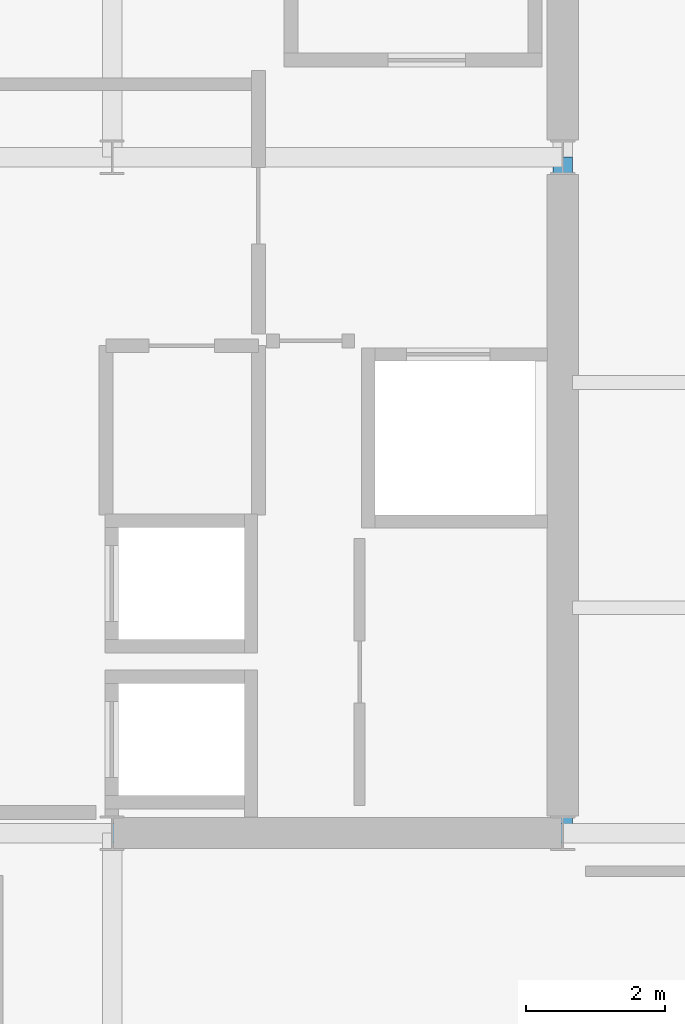
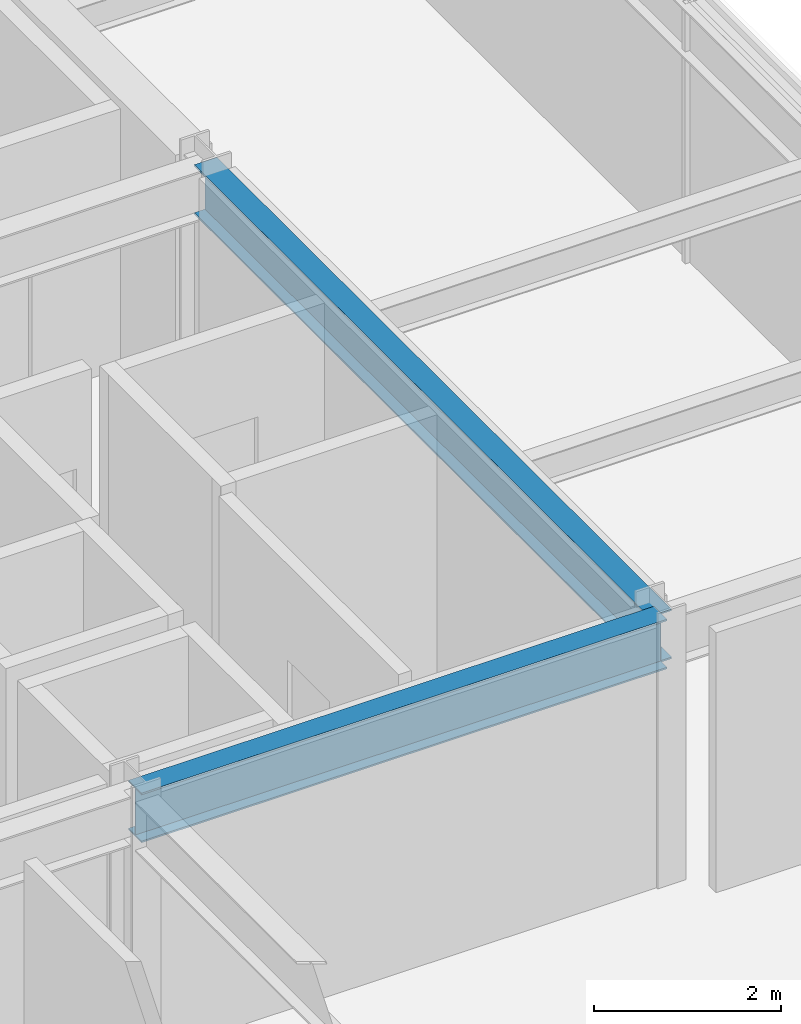
# One storey, part 13 of 31: 2 beams.
"""IFC4 building model written with IfcOpenShell, lengths in metres."""

import ifcopenshell
import ifcopenshell.guid

model = None  # the IFC model being written
_history = None  # IfcOwnerHistory: only IFC2X3 demands one
_inside = {}  # id of a spatial element -> (the spatial element, [elements in it])
_under = {}  # id of a project, library or spatial element -> (it, [spatial elements below it])
_declared = {}  # id of a project -> (the project, [libraries it declares])
_typed = {}  # id of a type object -> (the type object, [elements of that type])
_made_of = {}  # id of a material, layer set ... -> (it, [elements and type objects made of it])


def new_model(schema):
    """Start an empty IFC model of exactly this schema.

    Asked for "IFC4X3", IfcOpenShell would pick the latest addendum, in which some entities
    have other attributes; the version numbers below select the first issue.
    IFC2X3 requires an IfcOwnerHistory on every rooted entity: one is made here for all.
    """
    global model, _history
    if schema == "IFC4X3":
        model = ifcopenshell.file(schema_version=(4, 3, 0, 0))
    else:
        model = ifcopenshell.file(schema=schema)
    _inside.clear()
    _under.clear()
    _declared.clear()
    _typed.clear()
    _made_of.clear()
    _history = None
    if model.schema == "IFC2X3":
        org = make("IfcOrganization", Name="unknown")
        user = make(
            "IfcPersonAndOrganization",
            ThePerson=make("IfcPerson", FamilyName="unknown"),
            TheOrganization=org,
        )
        app = make(
            "IfcApplication",
            ApplicationDeveloper=org,
            Version="unknown",
            ApplicationFullName="unknown",
            ApplicationIdentifier="unknown",
        )
        _history = make(
            "IfcOwnerHistory",
            OwningUser=user,
            OwningApplication=app,
            ChangeAction="ADDED",
            CreationDate=0,
        )
    return model


def make(cls, **values):
    """One entity of the class cls with the attributes given. An attribute that is None is left unset."""
    return model.create_entity(
        cls, **{name: value for name, value in values.items() if value is not None}
    )


def rooted(cls, **values):
    """An entity with a GlobalId (a new one), such as an element, a storey or a relation."""
    return make(cls, GlobalId=ifcopenshell.guid.new(), OwnerHistory=_history, **values)


def si_unit(unit_type, name, prefix=None):
    """IfcSIUnit, for example si_unit("LENGTHUNIT", "METRE", prefix="MILLI")."""
    return make("IfcSIUnit", UnitType=unit_type, Prefix=prefix, Name=name)


def assignment(units):
    """IfcUnitAssignment: the units of a project."""
    return None if units is None else make("IfcUnitAssignment", Units=units)


def point(xyz):
    """IfcCartesianPoint."""
    return None if xyz is None else make("IfcCartesianPoint", Coordinates=xyz)


def direction(xyz):
    """IfcDirection."""
    return None if xyz is None else make("IfcDirection", DirectionRatios=xyz)


def frame(location, z_axis=None, x_axis=None):
    """IfcAxis2Placement3D, a coordinate frame: its origin and axes. An axis left out is left unset."""
    return make(
        "IfcAxis2Placement3D",
        Location=point(location),
        Axis=direction(z_axis),
        RefDirection=direction(x_axis),
    )


def frame_2d(location, x_axis=None):
    """IfcAxis2Placement2D, a coordinate frame in the plane: its origin and x axis."""
    return make(
        "IfcAxis2Placement2D", Location=point(location), RefDirection=direction(x_axis)
    )


def origin():
    """The frame at (0, 0, 0) with its axes left unset."""
    return frame((0.0, 0.0, 0.0))


def origin_2d():
    """The frame at (0, 0) in the plane with its x axis left unset."""
    return frame_2d((0.0, 0.0))


def place(relative_to, where):
    """IfcLocalPlacement: puts the frame where relative to a parent placement (None: the world)."""
    return make(
        "IfcLocalPlacement", PlacementRelTo=relative_to, RelativePlacement=where
    )


def context(
    kind, dimensions, precision=None, world=None, true_north=None, identifier=None
):
    """IfcGeometricRepresentationContext, for example the 3D "Model" context."""
    return make(
        "IfcGeometricRepresentationContext",
        ContextIdentifier=identifier,
        ContextType=kind,
        CoordinateSpaceDimension=dimensions,
        Precision=precision,
        WorldCoordinateSystem=world,
        TrueNorth=true_north,
    )


def subcontext(parent, identifier, kind, view, scale=None):
    """IfcGeometricRepresentationSubContext, for example "Body" below "Model"."""
    return make(
        "IfcGeometricRepresentationSubContext",
        ContextIdentifier=identifier,
        ContextType=kind,
        ParentContext=parent,
        TargetScale=scale,
        TargetView=view,
    )


def project(units=None, contexts=None):
    """IfcProject with its units and contexts."""
    return rooted(
        "IfcProject",
        Name="project",
        RepresentationContexts=contexts,
        UnitsInContext=assignment(units),
    )


def spatial(cls, under=None, at=None, **own):
    """A site, building, storey or space (cls), placed at a placement, below another one or the project."""
    s = rooted(cls, ObjectPlacement=at, **own)
    if under is not None:
        _under.setdefault(under.id(), (under, []))[1].append(s)
    return s


def profile(cls, at=None, kind="AREA", **sizes):
    """A parametric profile (cls). Its sizes go by their IFC names, for example OverallWidth=200.0."""
    return make(cls, ProfileType=kind, Position=at, **sizes)


def i_section(**sizes):
    """IfcIShapeProfileDef."""
    return profile("IfcIShapeProfileDef", **sizes)


def extrude(swept, where, along, depth):
    """IfcExtrudedAreaSolid: the profile swept, set in the frame where, extruded along a direction by depth."""
    return make(
        "IfcExtrudedAreaSolid",
        SweptArea=swept,
        Position=where,
        ExtrudedDirection=direction(along),
        Depth=depth,
    )


def shape(context_of_items, identifier, shape_type, items):
    """IfcShapeRepresentation: the items that make up one representation, for example the "Body"."""
    return make(
        "IfcShapeRepresentation",
        ContextOfItems=context_of_items,
        RepresentationIdentifier=identifier,
        RepresentationType=shape_type,
        Items=items,
    )


def material(Name=None, Category=None):
    """IfcMaterial."""
    return make("IfcMaterial", Name=Name, Category=Category)


def material_profile(
    of_material, cross_section, Name=None, Category=None, Priority=None
):
    """IfcMaterialProfile: a cross section and its material."""
    return make(
        "IfcMaterialProfile",
        Name=Name,
        Material=of_material,
        Profile=cross_section,
        Priority=Priority,
        Category=Category,
    )


def profile_set(profiles, Name=None, composite=None):
    """IfcMaterialProfileSet."""
    return make(
        "IfcMaterialProfileSet",
        Name=Name,
        MaterialProfiles=profiles,
        CompositeProfile=composite,
    )


def made_of(thing, what):
    """Note that an element or type object is made of a material, layer set ...; save() writes the relation."""
    if what is not None:
        _made_of.setdefault(what.id(), (what, []))[1].append(thing)
    return thing


def type_object(cls, material=None, **own):
    """A type object (cls), such as IfcWallType, which elements share."""
    return made_of(rooted(cls, **own), material)


def element(
    cls,
    number,
    at=None,
    inside=None,
    cuts=None,
    type_object=None,
    material=None,
    context=None,
    identifier="Body",
    shape_type=None,
    held_by="IfcProductDefinitionShape",
    body=None,
    shapes=None,
    **own,
):
    """One element of the class cls, such as IfcWall. Its Tag is "e" and its number.

    at: its placement. inside: the storey or other place that contains it. cuts: it is an
    opening in that element (IfcRelVoidsElement). A single representation is given by context,
    identifier, shape_type and body (its items); several are given by shapes. held_by: the class
    of the entity that holds the representations. save() writes the other relations.
    """
    e = rooted(cls, Tag="e%d" % number, ObjectPlacement=at, **own)
    if body is not None:
        shapes = [shape(context, identifier, shape_type, body)]
    if shapes is not None:
        e.Representation = make(held_by, Representations=shapes)
    if inside is not None:
        _inside.setdefault(inside.id(), (inside, []))[1].append(e)
    if cuts is not None:
        rooted(
            "IfcRelVoidsElement", RelatingBuildingElement=cuts, RelatedOpeningElement=e
        )
    if type_object is not None:
        _typed.setdefault(type_object.id(), (type_object, []))[1].append(e)
    return made_of(e, material)


def aggregate(whole, parts):
    """IfcRelAggregates: a whole, such as a stair, and the parts it consists of."""
    return rooted("IfcRelAggregates", RelatingObject=whole, RelatedObjects=parts)


def save(model, path):
    """Write the relations noted so far, then the file.

    IfcRelAggregates (storeys below a building ...), IfcRelContainedInSpatialStructure (elements
    in a storey), IfcRelDefinesByType, IfcRelAssociatesMaterial and IfcRelDeclares: one each for
    every whole, place, type object, material and project.
    """
    for whole, parts in _under.values():
        aggregate(whole, parts)
    for where, things in _inside.values():
        rooted(
            "IfcRelContainedInSpatialStructure",
            RelatedElements=things,
            RelatingStructure=where,
        )
    for kind, things in _typed.values():
        rooted("IfcRelDefinesByType", RelatedObjects=things, RelatingType=kind)
    for what, things in _made_of.values():
        rooted("IfcRelAssociatesMaterial", RelatedObjects=things, RelatingMaterial=what)
    for by, libraries in _declared.values():
        rooted("IfcRelDeclares", RelatingContext=by, RelatedDefinitions=libraries)
    model.write(path)


model = new_model("IFC4")

# Units and contexts
model_context = context("Model", 3, precision=1e-05, world=origin(), true_north=direction((0.0, 1.0)))
body_context = subcontext(model_context, "Body", "Model", "MODEL_VIEW")
ifc_project = project(units=[si_unit("LENGTHUNIT", "METRE"), si_unit("AREAUNIT", "SQUARE_METRE"), si_unit("VOLUMEUNIT", "CUBIC_METRE"), si_unit("PLANEANGLEUNIT", "RADIAN"), si_unit("MASSUNIT", "GRAM", prefix="KILO")], contexts=[model_context])

# Site, building, storey
site_placement = place(None, origin())
site = spatial("IfcSite", under=ifc_project, at=site_placement, CompositionType="ELEMENT")
building_placement = place(site_placement, origin())
building = spatial("IfcBuilding", under=site, at=building_placement, Name="Brelmoor Portico Tower", CompositionType="ELEMENT")
storey_placement = place(building_placement, frame((0.0, 0.0, 176.699951171875)))
storey = spatial("IfcBuildingStorey", under=building, at=storey_placement, Name="L46", CompositionType="ELEMENT", Elevation=176.699951171875)

# Beams
ifc_material = material(Name="Steel Q355B", Category="steel")
ifc_material_profile = material_profile(ifc_material, i_section(OverallWidth=0.280029296875, OverallDepth=0.64990234375, WebThickness=0.012939453125, FlangeThickness=0.02197265625, at=origin_2d()), Name="HN 650x280x13x22")
ifc_profile_set = profile_set([ifc_material_profile], Name="Steel Q355B")
beam_type = type_object("IfcBeamType", Name="BM-PG-650", PredefinedType="BEAM", material=ifc_profile_set)
beam_1_placement = place(storey_placement, frame((14.550048828125, -9.75, 3.074951171875), z_axis=(0.0, 1.0, 0.0), x_axis=(-1.0, 0.0, 0.0)))
element("IfcBeam", 1, at=beam_1_placement, inside=storey, type_object=beam_type, Name="L46 Primary Floor Girder PG-09", PredefinedType="BEAM", context=body_context, shape_type="SweptSolid", body=[
    extrude(i_section(OverallWidth=0.280029296875, OverallDepth=0.64990234375, WebThickness=0.012939453125, FlangeThickness=0.02197265625, at=origin_2d()), origin(), (0.0, 0.0, 1.0), 9.75),
])
beam_2_placement = place(storey_placement, frame((8.050048828125, -9.75, 3.074951171875), z_axis=(1.0, 0.0, 0.0), x_axis=(0.0, 1.0, 0.0)))
element("IfcBeam", 2, at=beam_2_placement, inside=storey, type_object=beam_type, Name="L46 Primary Floor Girder PG-14", PredefinedType="BEAM", context=body_context, shape_type="SweptSolid", body=[
    extrude(i_section(OverallWidth=0.280029296875, OverallDepth=0.64990234375, WebThickness=0.012939453125, FlangeThickness=0.02197265625, at=origin_2d()), origin(), (0.0, 0.0, 1.0), 6.5),
])

save(model, "model.ifc")
